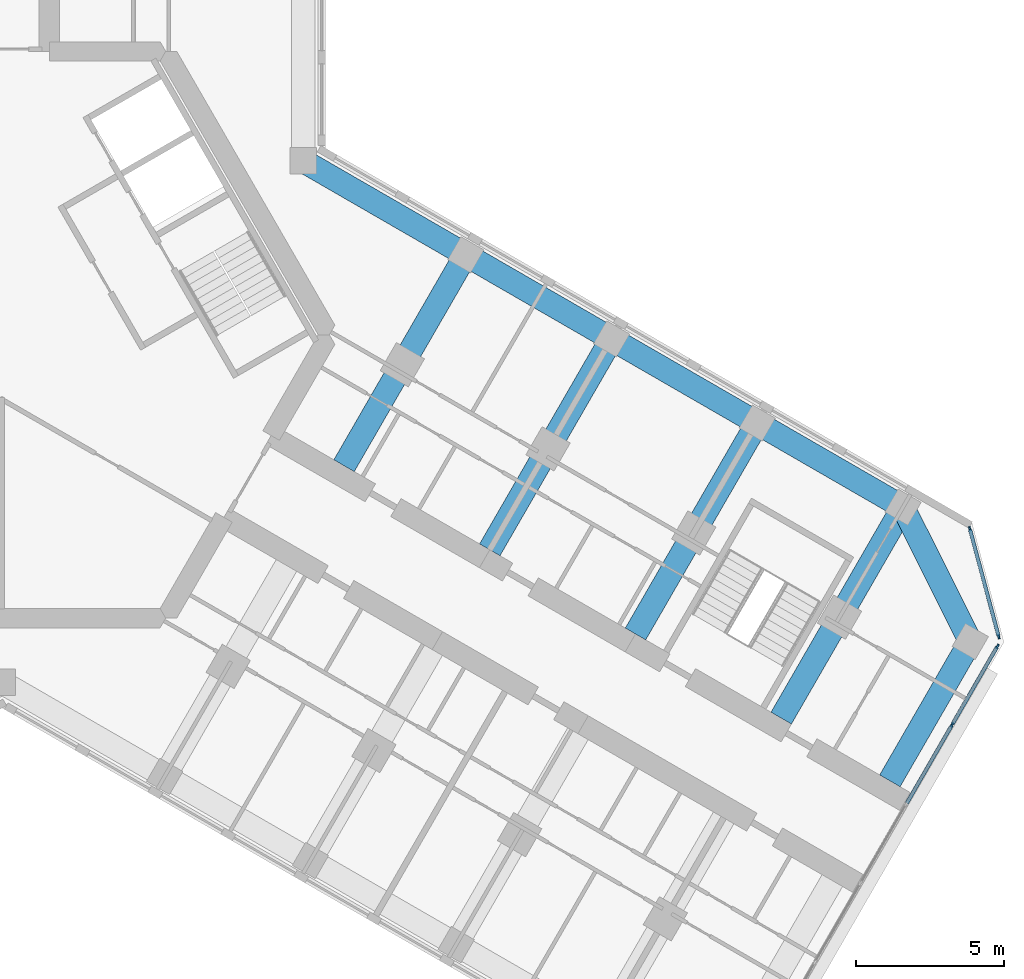
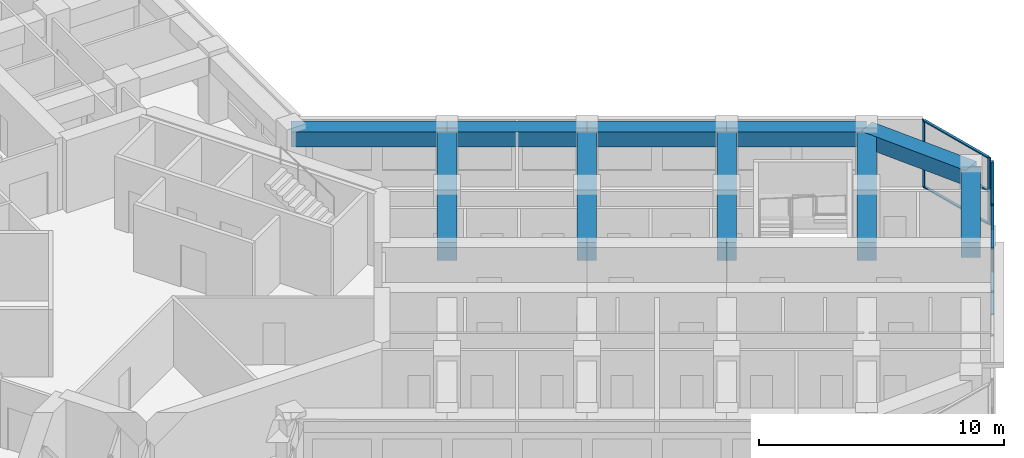
# One storey, part 5 of 16: 11 members, 10 beams, 2 elements without a shape of their own.
"""IFC4 building model written with IfcOpenShell, lengths in metres."""

from ifc_helpers import new_model, si_unit, direction, frame, origin, origin_2d, place, context, subcontext, project, spatial, rectangle, extrude, material, material_profile, profile_set, type_object, element, aggregate, save


model = new_model("IFC4")

# Units and contexts
model_context = context("Model", 3, precision=1e-05, world=origin(), true_north=direction((0.0, 1.0)))
body_context = subcontext(model_context, "Body", "Model", "MODEL_VIEW")
ifc_project = project(units=[si_unit("LENGTHUNIT", "METRE"), si_unit("AREAUNIT", "SQUARE_METRE"), si_unit("VOLUMEUNIT", "CUBIC_METRE"), si_unit("PLANEANGLEUNIT", "RADIAN"), si_unit("MASSUNIT", "GRAM", prefix="KILO")], contexts=[model_context])

# Site, building, storey
site_placement = place(None, origin())
site = spatial("IfcSite", under=ifc_project, at=site_placement, CompositionType="ELEMENT")
building_placement = place(site_placement, origin())
building = spatial("IfcBuilding", under=site, at=building_placement, Name="Kosmar Iwan School Tower", CompositionType="ELEMENT")
storey_placement = place(building_placement, frame((0.0, 0.0, 211.800048828125)))
storey = spatial("IfcBuildingStorey", under=building, at=storey_placement, Name="L53", CompositionType="ELEMENT", Elevation=211.800048828125)

# Curtain wall, members
ifc_material_1 = material(Name="Dark glass in black aluminium frame", Category="aluminium")
curtain_wall_type_1 = type_object("IfcCurtainWallType", Name="Tower curtain wall dark glass", PredefinedType="USERDEFINED", material=ifc_material_1)
curtain_wall_1_placement = place(storey_placement, origin())
curtain_wall_1 = element("IfcCurtainWall", 1, at=curtain_wall_1_placement, inside=storey, type_object=curtain_wall_type_1, Name="Curtain wall L53-F01", ObjectType="UNITISED CURTAIN WALL", PredefinedType="USERDEFINED")
ifc_material_2 = material(Name="Black anodised aluminium", Category="aluminium")
ifc_material_profile_1 = material_profile(ifc_material_2, rectangle(XDim=0.06005859375, YDim=0.159912109375, at=origin_2d()), Name="MULLION 60x160")
ifc_profile_set_1 = profile_set([ifc_material_profile_1], Name="Black anodised aluminium")
member_type_1 = type_object("IfcMemberType", Name="Mullion 60x160", PredefinedType="MULLION", material=ifc_profile_set_1)
member_1_placement = place(storey_placement, frame((32.1806640625, -13.21142578125, 0.0), z_axis=(0.0, 0.0, 1.0), x_axis=(-0.866025405329, 0.499999997325, 0.0)))
member_1 = element("IfcMember", 2, at=member_1_placement, type_object=member_type_1, Name="CW1 mullion 5", PredefinedType="MULLION", context=body_context, shape_type="SweptSolid", body=[
    extrude(rectangle(XDim=0.06005859375, YDim=0.159912109375, at=origin_2d()), origin(), (0.0, 0.0, 1.0), 3.349853515625),
])
member_2_placement = place(storey_placement, frame((33.71533203125, -10.55322265625, 0.0), z_axis=(0.0, 0.0, 1.0), x_axis=(-0.866025405329, 0.499999997325, 0.0)))
member_2 = element("IfcMember", 3, at=member_2_placement, type_object=member_type_1, Name="CW1 mullion 6", PredefinedType="MULLION", context=body_context, shape_type="SweptSolid", body=[
    extrude(rectangle(XDim=0.06005859375, YDim=0.159912109375, at=origin_2d()), origin(), (0.0, 0.0, 1.0), 3.349853515625),
])

ifc_material_3 = material(Name="Dark glass in black aluminium frame", Category="aluminium")
curtain_wall_type_2 = type_object("IfcCurtainWallType", Name="Chamfer curtain wall dark glass", PredefinedType="USERDEFINED", material=ifc_material_3)
curtain_wall_2_placement = place(storey_placement, origin())
curtain_wall_2 = element("IfcCurtainWall", 4, at=curtain_wall_2_placement, inside=storey, type_object=curtain_wall_type_2, Name="Curtain wall L53-F02", ObjectType="FACETED CURTAIN WALL", PredefinedType="USERDEFINED")
member_3_placement = place(storey_placement, frame((33.7587890625, -10.2236328125, 0.0), z_axis=(0.0, 0.0, 1.0), x_axis=(-0.965925875495, -0.258818861462, 0.0)))
member_3 = element("IfcMember", 5, at=member_3_placement, type_object=member_type_1, Name="CW2 mullion 1", PredefinedType="MULLION", context=body_context, shape_type="SweptSolid", body=[
    extrude(rectangle(XDim=0.06005859375, YDim=0.159912109375, at=origin_2d()), origin(), (0.0, 0.0, 1.0), 3.349853515625),
])
member_4_placement = place(storey_placement, frame((32.78076171875, -6.5732421875, 0.0), z_axis=(0.0, 0.0, 1.0), x_axis=(-0.965925875495, -0.258818861462, 0.0)))
member_4 = element("IfcMember", 6, at=member_4_placement, type_object=member_type_1, Name="CW2 mullion 2", PredefinedType="MULLION", context=body_context, shape_type="SweptSolid", body=[
    extrude(rectangle(XDim=0.06005859375, YDim=0.159912109375, at=origin_2d()), origin(), (0.0, 0.0, 1.0), 3.349853515625),
])

# Beams
ifc_material_4 = material(Name="Concrete C50/60", Category="concrete")
ifc_material_profile_2 = material_profile(ifc_material_4, rectangle(XDim=0.800048828125, YDim=0.75, at=origin_2d()), Name="RC 800x750")
ifc_profile_set_2 = profile_set([ifc_material_profile_2], Name="Concrete C50/60")
beam_type_1 = type_object("IfcBeamType", Name="RC edge beam 800x750", PredefinedType="BEAM", material=ifc_profile_set_2)
beam_1_placement = place(storey_placement, frame((10.199951171875, 5.888916015625, 2.974853515625), z_axis=(0.866030912664, -0.49999045822, 0.0), x_axis=(0.49999045822, 0.866030912664, 0.0)))
element("IfcBeam", 7, at=beam_1_placement, inside=storey, type_object=beam_type_1, Name="Edge beam CL1", PredefinedType="BEAM", context=body_context, shape_type="SweptSolid", body=[
    extrude(rectangle(XDim=0.800048828125, YDim=0.75, at=origin_2d()), origin(), (0.0, 0.0, 1.0), 6.36083984375),
])
beam_2_placement = place(storey_placement, frame((15.708740234375, 2.70849609375, 2.974853515625), z_axis=(0.866025820012, -0.499999279071, 0.0), x_axis=(0.499999279071, 0.866025820012, 0.0)))
element("IfcBeam", 8, at=beam_2_placement, inside=storey, type_object=beam_type_1, Name="Edge beam CL2", PredefinedType="BEAM", context=body_context, shape_type="SweptSolid", body=[
    extrude(rectangle(XDim=0.800048828125, YDim=0.75, at=origin_2d()), origin(), (0.0, 0.0, 1.0), 5.7001953125),
])
for number, where, z_axis, x_axis, name in (
    (9, (20.645263671875, -0.1416015625, 2.974853515625), (0.866033658841, -0.49998570155, 0.0), (0.49998570155, 0.866033658841, 0.0), "Edge beam CL3"),
    (10, (25.58154296875, -2.991455078125, 2.974853515625), (0.866015111908, -0.50001782563, 0.0), (0.50001782563, 0.866015111908, 0.0), "Edge beam CL4"),
):
    element("IfcBeam", number, at=place(storey_placement, frame(where, z_axis=z_axis, x_axis=x_axis)), inside=storey, type_object=beam_type_1, Name=name, PredefinedType="BEAM", context=body_context, shape_type="SweptSolid", body=[
        extrude(rectangle(XDim=0.800048828125, YDim=0.75, at=origin_2d()), origin(), (0.0, 0.0, 1.0), 5.699951171875),
    ])
ifc_material_5 = material(Name="Concrete C50/60", Category="concrete")
ifc_material_profile_3 = material_profile(ifc_material_5, rectangle(XDim=0.800048828125, YDim=0.75, at=origin_2d()), Name="RC 800x750")
ifc_profile_set_3 = profile_set([ifc_material_profile_3], Name="Concrete C50/60")
beam_type_2 = type_object("IfcBeamType", Name="RC tip beam 800x750", PredefinedType="BEAM", material=ifc_profile_set_3)
beam_3_placement = place(storey_placement, frame((30.517822265625, -5.841552734375, 2.974853515625), z_axis=(0.44809604203, -0.893985423325, 0.0), x_axis=(0.893985423325, 0.44809604203, 0.0)))
element("IfcBeam", 11, at=beam_3_placement, inside=storey, type_object=beam_type_2, Name="Tip beam CL", PredefinedType="BEAM", context=body_context, shape_type="SweptSolid", body=[
    extrude(rectangle(XDim=0.800048828125, YDim=0.75, at=origin_2d()), origin(), (0.0, 0.0, 1.0), 5.08935546875),
])
beam_4_placement = place(storey_placement, frame((32.79833984375, -10.391357421875, 2.974853515625), z_axis=(-0.49996933381, -0.866043108194, 0.0), x_axis=(0.866043108194, -0.49996933381, 0.0)))
element("IfcBeam", 12, at=beam_4_placement, inside=storey, type_object=beam_type_2, Name="Tip beam CL to corridor wall", PredefinedType="BEAM", context=body_context, shape_type="SweptSolid", body=[
    extrude(rectangle(XDim=0.800048828125, YDim=0.75, at=origin_2d()), origin(), (0.0, 0.0, 1.0), 5.449951171875),
])
ifc_material_6 = material(Name="Concrete C50/60", Category="concrete")
ifc_material_profile_4 = material_profile(ifc_material_6, rectangle(XDim=0.800048828125, YDim=0.89990234375, at=origin_2d()), Name="RC 800x900")
ifc_profile_set_4 = profile_set([ifc_material_profile_4], Name="Concrete C50/60")
beam_type_3 = type_object("IfcBeamType", Name="RC transverse beam 800x900", PredefinedType="BEAM", material=ifc_profile_set_4)
beam_5_placement = place(storey_placement, frame((15.708740234375, 2.70849609375, 2.89990234375), z_axis=(-0.499996545922, -0.866027397988, 0.0), x_axis=(0.866027397988, -0.499996545922, 0.0)))
element("IfcBeam", 13, at=beam_5_placement, inside=storey, type_object=beam_type_3, Name="Transverse beam CL1", PredefinedType="BEAM", context=body_context, shape_type="SweptSolid", body=[
    extrude(rectangle(XDim=0.800048828125, YDim=0.89990234375, at=origin_2d()), origin(), (0.0, 0.0, 1.0), 8.25),
])
beam_6_placement = place(storey_placement, frame((20.645263671875, -0.1416015625, 2.89990234375), z_axis=(-0.500009360108, -0.866019999656, 0.0), x_axis=(0.866019999656, -0.500009360108, 0.0)))
element("IfcBeam", 14, at=beam_6_placement, inside=storey, type_object=beam_type_3, Name="Transverse beam CL2", PredefinedType="BEAM", context=body_context, shape_type="SweptSolid", body=[
    extrude(rectangle(XDim=0.800048828125, YDim=0.89990234375, at=origin_2d()), origin(), (0.0, 0.0, 1.0), 8.249755859375),
])
for number, where, z_axis, x_axis, name in (
    (15, (25.58154296875, -2.991455078125, 2.89990234375), (-0.499996545922, -0.866027397988, 0.0), (0.866027397988, -0.499996545922, 0.0), "Transverse beam CL3"),
    (16, (30.517822265625, -5.841552734375, 2.89990234375), (-0.499996545922, -0.866027397988, 0.0), (0.866027397988, -0.499996545922, 0.0), "Transverse beam CL4"),
):
    element("IfcBeam", number, at=place(storey_placement, frame(where, z_axis=z_axis, x_axis=x_axis)), inside=storey, type_object=beam_type_3, Name=name, PredefinedType="BEAM", context=body_context, shape_type="SweptSolid", body=[
        extrude(rectangle(XDim=0.800048828125, YDim=0.89990234375, at=origin_2d()), origin(), (0.0, 0.0, 1.0), 8.25),
    ])

# Member
ifc_material_7 = material(Name="Black anodised aluminium", Category="aluminium")
ifc_material_profile_5 = material_profile(ifc_material_7, rectangle(XDim=0.1201171875, YDim=0.06005859375, at=origin_2d()), Name="TRANSOM 60x120")
ifc_profile_set_5 = profile_set([ifc_material_profile_5], Name="Black anodised aluminium")
member_type_2 = type_object("IfcMemberType", Name="Transom 60x120", PredefinedType="USERDEFINED", material=ifc_profile_set_5)
member_5_placement = place(storey_placement, frame((30.64599609375, -15.869384765625, 0.030029296875), z_axis=(0.500035348339, 0.866004994449, 0.0), x_axis=(-0.866004994449, 0.500035348339, 0.0)))
member_5 = element("IfcMember", 17, at=member_5_placement, type_object=member_type_2, Name="CW1 transom 4.1", ObjectType="TRANSOM", PredefinedType="USERDEFINED", context=body_context, shape_type="SweptSolid", body=[
    extrude(rectangle(XDim=0.1201171875, YDim=0.06005859375, at=origin_2d()), origin(), (0.0, 0.0, 1.0), 3.039306640625),
])

member_6_placement = place(storey_placement, frame((30.64599609375, -15.869384765625, 3.320068359375), z_axis=(0.500035348339, 0.866004994449, 0.0), x_axis=(-0.866004994449, 0.500035348339, 0.0)))
member_6 = element("IfcMember", 18, at=member_6_placement, type_object=member_type_2, Name="CW1 transom 4.2", ObjectType="TRANSOM", PredefinedType="USERDEFINED", context=body_context, shape_type="SweptSolid", body=[
    extrude(rectangle(XDim=0.1201171875, YDim=0.06005859375, at=origin_2d()), origin(), (0.0, 0.0, 1.0), 3.039306640625),
])

member_7_placement = place(storey_placement, frame((32.19580078125, -13.185302734375, 0.030029296875), z_axis=(0.500022102064, 0.866012642776, 0.0), x_axis=(-0.866012642776, 0.500022102064, 0.0)))
member_7 = element("IfcMember", 19, at=member_7_placement, type_object=member_type_2, Name="CW1 transom 5.1", ObjectType="TRANSOM", PredefinedType="USERDEFINED", context=body_context, shape_type="SweptSolid", body=[
    extrude(rectangle(XDim=0.1201171875, YDim=0.06005859375, at=origin_2d()), origin(), (0.0, 0.0, 1.0), 3.009033203125),
])

member_8_placement = place(storey_placement, frame((32.19580078125, -13.185302734375, 3.320068359375), z_axis=(0.500022102064, 0.866012642776, 0.0), x_axis=(-0.866012642776, 0.500022102064, 0.0)))
member_8 = element("IfcMember", 20, at=member_8_placement, type_object=member_type_2, Name="CW1 transom 5.2", ObjectType="TRANSOM", PredefinedType="USERDEFINED", context=body_context, shape_type="SweptSolid", body=[
    extrude(rectangle(XDim=0.1201171875, YDim=0.06005859375, at=origin_2d()), origin(), (0.0, 0.0, 1.0), 3.009033203125),
])

aggregate(curtain_wall_1, [member_1, member_2, member_5, member_6, member_7, member_8])

member_9_placement = place(storey_placement, frame((33.7509765625, -10.194580078125, 0.030029296875), z_axis=(-0.258843273983, 0.965919333854, 0.0), x_axis=(-0.965919333854, -0.258843273983, 0.0)))
member_9 = element("IfcMember", 21, at=member_9_placement, type_object=member_type_2, Name="CW2 transom 1.1", ObjectType="TRANSOM", PredefinedType="USERDEFINED", context=body_context, shape_type="SweptSolid", body=[
    extrude(rectangle(XDim=0.1201171875, YDim=0.06005859375, at=origin_2d()), origin(), (0.0, 0.0, 1.0), 3.718994140625),
])

member_10_placement = place(storey_placement, frame((33.7509765625, -10.194580078125, 1.675048828125), z_axis=(-0.258843273983, 0.965919333854, 0.0), x_axis=(-0.965919333854, -0.258843273983, 0.0)))
member_10 = element("IfcMember", 22, at=member_10_placement, type_object=member_type_2, Name="CW2 transom 1.2", ObjectType="TRANSOM", PredefinedType="USERDEFINED", context=body_context, shape_type="SweptSolid", body=[
    extrude(rectangle(XDim=0.1201171875, YDim=0.06005859375, at=origin_2d()), origin(), (0.0, 0.0, 1.0), 3.718994140625),
])

member_11_placement = place(storey_placement, frame((33.7509765625, -10.194580078125, 3.320068359375), z_axis=(-0.258843273983, 0.965919333854, 0.0), x_axis=(-0.965919333854, -0.258843273983, 0.0)))
member_11 = element("IfcMember", 23, at=member_11_placement, type_object=member_type_2, Name="CW2 transom 1.3", ObjectType="TRANSOM", PredefinedType="USERDEFINED", context=body_context, shape_type="SweptSolid", body=[
    extrude(rectangle(XDim=0.1201171875, YDim=0.06005859375, at=origin_2d()), origin(), (0.0, 0.0, 1.0), 3.718994140625),
])

aggregate(curtain_wall_2, [member_3, member_4, member_9, member_10, member_11])

save(model, "model.ifc")
